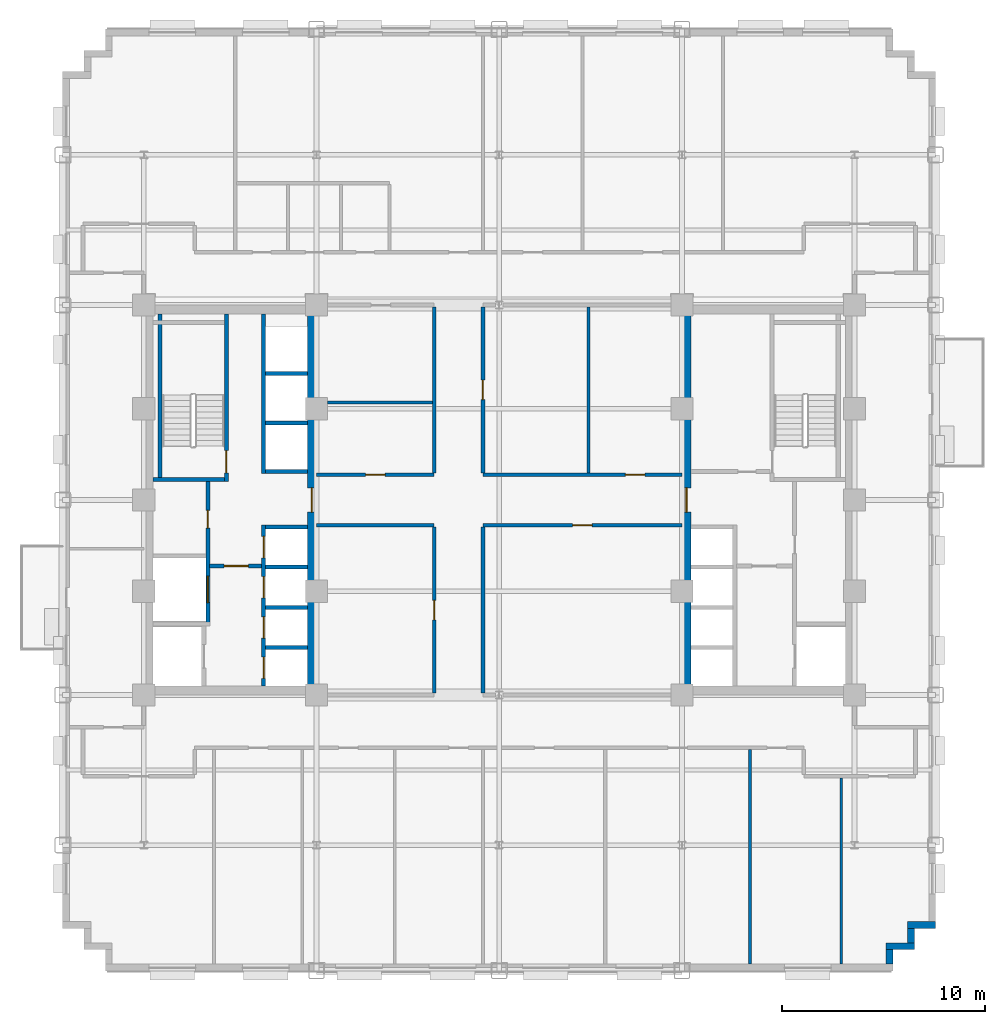
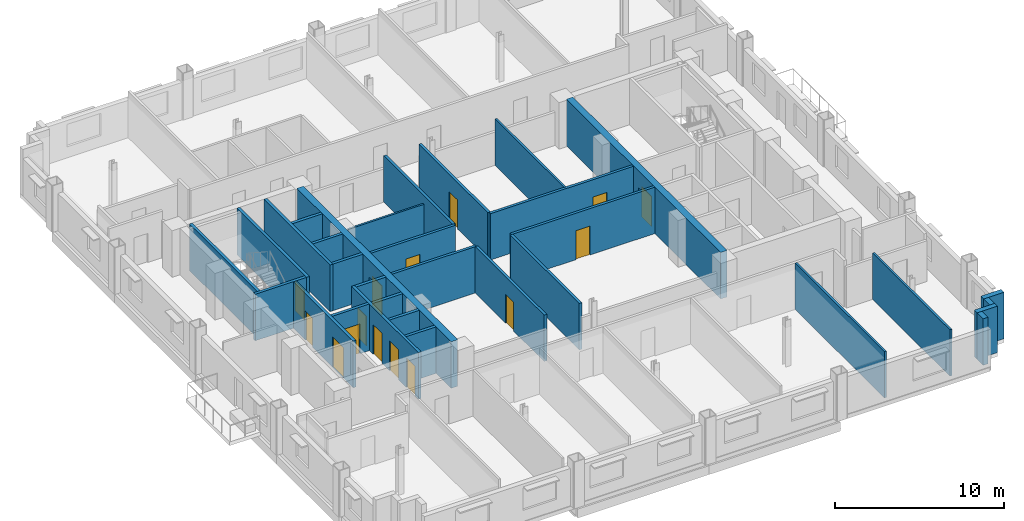
# One storey, part 7 of 14: 32 walls, 15 doors, 15 openings.
"""IFC4 building model written with IfcOpenShell, lengths in metres."""

from ifc_helpers import new_model, si_unit, direction, frame, frame_2d, origin, place, context, subcontext, project, spatial, rectangle, extrude, source, transform, mapped, material, layer, layer_set, type_object, type_shapes, element, fill, save


model = new_model("IFC4")

# Units and contexts
model_context = context("Model", 3, precision=1e-05, world=origin(), true_north=direction((0.0, 1.0)))
body_context = subcontext(model_context, "Body", "Model", "MODEL_VIEW")
ifc_project = project(units=[si_unit("LENGTHUNIT", "METRE"), si_unit("AREAUNIT", "SQUARE_METRE"), si_unit("VOLUMEUNIT", "CUBIC_METRE"), si_unit("PLANEANGLEUNIT", "RADIAN"), si_unit("MASSUNIT", "GRAM", prefix="KILO")], contexts=[model_context])

# Site, building, storey
site_placement = place(None, origin())
site = spatial("IfcSite", under=ifc_project, at=site_placement, CompositionType="ELEMENT")
building_placement = place(site_placement, origin())
building = spatial("IfcBuilding", under=site, at=building_placement, Name="Nuvemarco Arch Tower", CompositionType="ELEMENT")
storey_placement = place(building_placement, frame((0.0, 0.0, 71.39990234375)))
storey = spatial("IfcBuildingStorey", under=building, at=storey_placement, Name="L18", CompositionType="ELEMENT", Elevation=71.39990234375)

# Walls
ifc_material_1 = material(Name="Precast concrete C45/55", Category="concrete")
ifc_layer_1 = layer(ifc_material_1, 0.340087890625, Name="EW-LOW-340")
ifc_layer_set_1 = layer_set([ifc_layer_1], Name="Precast concrete C45/55")
wall_type_1 = type_object("IfcWallType", Name="EW-LOW-340", PredefinedType="STANDARD", material=ifc_layer_set_1)
wall_1_placement = place(storey_placement, frame((19.22998046875, -22.864013671875, 0.0), z_axis=(0.0, 0.0, 1.0), x_axis=(0.0, 1.0, 0.0)))
element("IfcWall", 1, at=wall_1_placement, inside=storey, type_object=wall_type_1, Name="L18 exterior precast facade wall 2", PredefinedType="STANDARD", context=body_context, shape_type="SweptSolid", body=[
    extrude(rectangle(XDim=0.718017578125, YDim=0.340087890625, at=frame_2d((0.35888671875, 0.0))), origin(), (0.0, 0.0, 1.0), 3.360107421875),
])
wall_2_placement = place(storey_placement, frame((19.06005859375, -21.97998046875, 0.0), z_axis=(0.0, 0.0, 1.0), x_axis=(1.0, 0.0, 0.0)))
element("IfcWall", 2, at=wall_2_placement, inside=storey, type_object=wall_type_1, Name="L18 exterior precast facade wall 3", PredefinedType="STANDARD", context=body_context, shape_type="SweptSolid", body=[
    extrude(rectangle(XDim=1.389892578125, YDim=0.340087890625, at=frame_2d((0.69482421875, 0.0))), origin(), (0.0, 0.0, 1.0), 3.360107421875),
])
wall_3_placement = place(storey_placement, frame((20.280029296875, -21.81396484375, 0.0), z_axis=(0.0, 0.0, 1.0), x_axis=(0.0, 1.0, 0.0)))
element("IfcWall", 3, at=wall_3_placement, inside=storey, type_object=wall_type_1, Name="L18 exterior precast facade wall 4", PredefinedType="STANDARD", context=body_context, shape_type="SweptSolid", body=[
    extrude(rectangle(XDim=0.718017578125, YDim=0.340087890625, at=frame_2d((0.35888671875, 0.0))), origin(), (0.0, 0.0, 1.0), 3.360107421875),
])
wall_4_placement = place(storey_placement, frame((20.110107421875, -20.929931640625, 0.0), z_axis=(0.0, 0.0, 1.0), x_axis=(1.0, 0.0, 0.0)))
element("IfcWall", 4, at=wall_4_placement, inside=storey, type_object=wall_type_1, Name="L18 exterior precast facade wall 5", PredefinedType="STANDARD", context=body_context, shape_type="SweptSolid", body=[
    extrude(rectangle(XDim=1.389892578125, YDim=0.340087890625, at=frame_2d((0.69482421875, 0.0))), origin(), (0.0, 0.0, 1.0), 3.360107421875),
])

# Wall, opening, door
ifc_material_2 = material(Name="Concrete C60/75", Category="concrete")
ifc_layer_2 = layer(ifc_material_2, 0.449951171875, Name="WL-CORE-450")
ifc_layer_set_2 = layer_set([ifc_layer_2], Name="Concrete C60/75")
wall_type_2 = type_object("IfcWallType", Name="WL-CORE-450", PredefinedType="SHEAR", material=ifc_layer_set_2)
wall_5_placement = place(storey_placement, frame((-9.22509765625, -9.155029296875, 0.0), z_axis=(0.0, 0.0, 1.0), x_axis=(0.0, 1.0, 0.0)))
wall_5 = element("IfcWall", 5, at=wall_5_placement, inside=storey, type_object=wall_type_2, Name="L18 W-core shear wall E", PredefinedType="SHEAR", context=body_context, shape_type="SweptSolid", body=[
    extrude(rectangle(XDim=18.31005859375, YDim=0.449951171875, at=frame_2d((9.155029296875, 0.0))), origin(), (0.0, 0.0, 1.0), 3.3701171875),
])
opening_1_placement = place(wall_5_placement, frame((8.554931640625, 0.0, 0.0)))
opening_1 = element("IfcOpeningElement", 6, at=opening_1_placement, cuts=wall_5, Name="Opening FD-2", PredefinedType="OPENING", context=body_context, shape_type="SweptSolid", body=[
    extrude(rectangle(XDim=1.199951171875, YDim=2.14990234375, at=frame_2d((0.60009765625, 1.074951171875))), frame((0.0, 0.23486328125, 0.0), z_axis=(0.0, -1.0, 0.0), x_axis=(1.0, 0.0, 0.0)), (0.0, 0.0, 1.0), 0.469970703125),
])
ifc_material_3 = material(Name="Anodised steel fire door", Category="steel")
door_type_1 = type_object("IfcDoorType", Name="DR-FFLOB-FD", OperationType="NOTDEFINED", PredefinedType="DOOR", material=ifc_material_3)
shared_shape_1 = source(origin(), body_context, "Body", "SweptSolid", [
    extrude(rectangle(XDim=1.199951171875, YDim=2.14990234375, at=frame_2d((0.60009765625, 1.074951171875))), frame((0.0, 0.02490234375, 0.0), z_axis=(0.0, -1.0, 0.0), x_axis=(1.0, 0.0, 0.0)), (0.0, 0.0, 1.0), 0.050048828125),
])
type_shapes(door_type_1, [shared_shape_1])
door_1_placement = place(opening_1_placement, origin())
door_1 = element("IfcDoor", 7, at=door_1_placement, inside=storey, type_object=door_type_1, Name="L18 door FD-L18-WCORE-E", OperationType="SINGLE_SWING_RIGHT", OverallHeight=2.14990234375, OverallWidth=1.199951171875, PredefinedType="DOOR", context=body_context, shape_type="MappedRepresentation", body=[
    mapped(shared_shape_1, transform((0.0, 0.0, 0.0), scale=1.0)),
])
fill(opening_1, door_1)

wall_6_placement = place(storey_placement, frame((9.22509765625, -9.155029296875, 0.0), z_axis=(0.0, 0.0, 1.0), x_axis=(0.0, 1.0, 0.0)))
wall_6 = element("IfcWall", 8, at=wall_6_placement, inside=storey, type_object=wall_type_2, Name="L18 E-core shear wall W", PredefinedType="SHEAR", context=body_context, shape_type="SweptSolid", body=[
    extrude(rectangle(XDim=18.31005859375, YDim=0.449951171875, at=frame_2d((9.155029296875, 0.0))), origin(), (0.0, 0.0, 1.0), 3.3701171875),
])
opening_2_placement = place(wall_6_placement, frame((8.554931640625, 0.0, 0.0)))
opening_2 = element("IfcOpeningElement", 9, at=opening_2_placement, cuts=wall_6, Name="Opening FD-2", PredefinedType="OPENING", context=body_context, shape_type="SweptSolid", body=[
    extrude(rectangle(XDim=1.199951171875, YDim=2.14990234375, at=frame_2d((0.60009765625, 1.074951171875))), frame((0.0, 0.23486328125, 0.0), z_axis=(0.0, -1.0, 0.0), x_axis=(1.0, 0.0, 0.0)), (0.0, 0.0, 1.0), 0.469970703125),
])
door_2_placement = place(opening_2_placement, origin())
door_2 = element("IfcDoor", 10, at=door_2_placement, inside=storey, type_object=door_type_1, Name="L18 door FD-L18-ECORE-W", OperationType="SINGLE_SWING_LEFT", OverallHeight=2.14990234375, OverallWidth=1.199951171875, PredefinedType="DOOR", context=body_context, shape_type="MappedRepresentation", body=[
    mapped(shared_shape_1, transform((0.0, 0.0, 0.0), scale=1.0)),
])
fill(opening_2, door_2)

# Wall
ifc_material_4 = material(Name="Fire-rated gypsum drywall partition")
ifc_layer_3 = layer(ifc_material_4, 0.179931640625, Name="WL-CORR-180")
ifc_layer_set_3 = layer_set([ifc_layer_3], Name="Fire-rated gypsum drywall partition")
wall_type_3 = type_object("IfcWallType", Name="WL-CORR-180", PredefinedType="PARTITIONING", material=ifc_layer_set_3)
wall_7_placement = place(storey_placement, frame((-9.0, -1.25, 0.0), z_axis=(0.0, 0.0, 1.0), x_axis=(1.0, 0.0, 0.0)))
element("IfcWall", 11, at=wall_7_placement, inside=storey, type_object=wall_type_3, Name="L18 interior wall IW-L18-010", PredefinedType="PARTITIONING", context=body_context, shape_type="SweptSolid", body=[
    extrude(rectangle(XDim=5.800048828125, YDim=0.179931640625, at=frame_2d((2.89990234375, 0.0))), origin(), (0.0, 0.0, 1.0), 3.360107421875),
])

# Wall, opening, door
wall_8_placement = place(storey_placement, frame((-0.800048828125, -1.25, 0.0), z_axis=(0.0, 0.0, 1.0), x_axis=(1.0, 0.0, 0.0)))
wall_8 = element("IfcWall", 12, at=wall_8_placement, inside=storey, type_object=wall_type_3, Name="L18 interior wall IW-L18-011", PredefinedType="PARTITIONING", context=body_context, shape_type="SweptSolid", body=[
    extrude(rectangle(XDim=9.800048828125, YDim=0.179931640625, at=frame_2d((4.89990234375, 0.0))), origin(), (0.0, 0.0, 1.0), 3.360107421875),
])
opening_3_placement = place(wall_8_placement, frame((4.419921875, 0.0, 0.0)))
opening_3 = element("IfcOpeningElement", 13, at=opening_3_placement, cuts=wall_8, Name="Opening FD-5", PredefinedType="OPENING", context=body_context, shape_type="SweptSolid", body=[
    extrude(rectangle(XDim=0.9599609375, YDim=2.10009765625, at=frame_2d((0.47998046875, 1.050048828125))), frame((0.0, 0.099853515625, 0.0), z_axis=(0.0, -1.0, 0.0), x_axis=(1.0, 0.0, 0.0)), (0.0, 0.0, 1.0), 0.199951171875),
])
ifc_material_5 = material(Name="Timber fire door", Category="wood")
door_type_2 = type_object("IfcDoorType", Name="DR-CORR-FD", OperationType="NOTDEFINED", PredefinedType="DOOR", material=ifc_material_5)
shared_shape_2 = source(origin(), body_context, "Body", "SweptSolid", [
    extrude(rectangle(XDim=0.9599609375, YDim=2.10009765625, at=frame_2d((0.47998046875, 1.050048828125))), frame((0.0, 0.02490234375, 0.0), z_axis=(0.0, -1.0, 0.0), x_axis=(1.0, 0.0, 0.0)), (0.0, 0.0, 1.0), 0.050048828125),
])
type_shapes(door_type_2, [shared_shape_2])
door_3_placement = place(opening_3_placement, origin())
door_3 = element("IfcDoor", 14, at=door_3_placement, inside=storey, type_object=door_type_2, Name="L18 door DR-L18-C_SE", OperationType="SINGLE_SWING_LEFT", OverallHeight=2.10009765625, OverallWidth=0.9599609375, PredefinedType="DOOR", context=body_context, shape_type="MappedRepresentation", body=[
    mapped(shared_shape_2, transform((0.0, 0.0, 0.0), scale=1.0)),
])
fill(opening_3, door_3)

wall_9_placement = place(storey_placement, frame((-9.0, 1.25, 0.0), z_axis=(0.0, 0.0, 1.0), x_axis=(1.0, 0.0, 0.0)))
wall_9 = element("IfcWall", 15, at=wall_9_placement, inside=storey, type_object=wall_type_3, Name="L18 interior wall IW-L18-012", PredefinedType="PARTITIONING", context=body_context, shape_type="SweptSolid", body=[
    extrude(rectangle(XDim=5.800048828125, YDim=0.179931640625, at=frame_2d((2.89990234375, 0.0))), origin(), (0.0, 0.0, 1.0), 3.360107421875),
])
opening_4_placement = place(wall_9_placement, frame((2.419921875, 0.0, 0.0)))
opening_4 = element("IfcOpeningElement", 16, at=opening_4_placement, cuts=wall_9, Name="Opening FD-5", PredefinedType="OPENING", context=body_context, shape_type="SweptSolid", body=[
    extrude(rectangle(XDim=0.9599609375, YDim=2.10009765625, at=frame_2d((0.47998046875, 1.050048828125))), frame((0.0, 0.099853515625, 0.0), z_axis=(0.0, -1.0, 0.0), x_axis=(1.0, 0.0, 0.0)), (0.0, 0.0, 1.0), 0.199951171875),
])
door_4_placement = place(opening_4_placement, origin())
door_4 = element("IfcDoor", 17, at=door_4_placement, inside=storey, type_object=door_type_2, Name="L18 door DR-L18-C_NW1", OperationType="SINGLE_SWING_LEFT", OverallHeight=2.10009765625, OverallWidth=0.9599609375, PredefinedType="DOOR", context=body_context, shape_type="MappedRepresentation", body=[
    mapped(shared_shape_2, transform((0.0, 0.0, 0.0), scale=1.0)),
])
fill(opening_4, door_4)

wall_10_placement = place(storey_placement, frame((-0.800048828125, 1.25, 0.0), z_axis=(0.0, 0.0, 1.0), x_axis=(1.0, 0.0, 0.0)))
wall_10 = element("IfcWall", 18, at=wall_10_placement, inside=storey, type_object=wall_type_3, Name="L18 interior wall IW-L18-013", PredefinedType="PARTITIONING", context=body_context, shape_type="SweptSolid", body=[
    extrude(rectangle(XDim=9.800048828125, YDim=0.179931640625, at=frame_2d((4.89990234375, 0.0))), origin(), (0.0, 0.0, 1.0), 3.360107421875),
])
opening_5_placement = place(wall_10_placement, frame((7.02001953125, 0.0, 0.0)))
opening_5 = element("IfcOpeningElement", 19, at=opening_5_placement, cuts=wall_10, Name="Opening FD-5", PredefinedType="OPENING", context=body_context, shape_type="SweptSolid", body=[
    extrude(rectangle(XDim=0.9599609375, YDim=2.10009765625, at=frame_2d((0.47998046875, 1.050048828125))), frame((0.0, 0.099853515625, 0.0), z_axis=(0.0, -1.0, 0.0), x_axis=(1.0, 0.0, 0.0)), (0.0, 0.0, 1.0), 0.199951171875),
])
door_5_placement = place(opening_5_placement, origin())
door_5 = element("IfcDoor", 20, at=door_5_placement, inside=storey, type_object=door_type_2, Name="L18 door DR-L18-C_NE2", OperationType="SINGLE_SWING_LEFT", OverallHeight=2.10009765625, OverallWidth=0.9599609375, PredefinedType="DOOR", context=body_context, shape_type="MappedRepresentation", body=[
    mapped(shared_shape_2, transform((0.0, 0.0, 0.0), scale=1.0)),
])
fill(opening_5, door_5)

wall_11_placement = place(storey_placement, frame((-3.199951171875, -9.513916015625, 0.0), z_axis=(0.0, 0.0, 1.0), x_axis=(0.0, 1.0, 0.0)))
wall_11 = element("IfcWall", 21, at=wall_11_placement, inside=storey, type_object=wall_type_3, Name="L18 interior wall IW-L18-037", PredefinedType="PARTITIONING", context=body_context, shape_type="SweptSolid", body=[
    extrude(rectangle(XDim=8.177978515625, YDim=0.179931640625, at=frame_2d((4.0888671875, 0.0))), origin(), (0.0, 0.0, 1.0), 3.360107421875),
])
opening_6_placement = place(wall_11_placement, frame((3.60888671875, 0.0, 0.0)))
opening_6 = element("IfcOpeningElement", 22, at=opening_6_placement, cuts=wall_11, Name="Opening FD-5", PredefinedType="OPENING", context=body_context, shape_type="SweptSolid", body=[
    extrude(rectangle(XDim=0.9599609375, YDim=2.10009765625, at=frame_2d((0.47998046875, 1.050048828125))), frame((0.0, 0.099853515625, 0.0), z_axis=(0.0, -1.0, 0.0), x_axis=(1.0, 0.0, 0.0)), (0.0, 0.0, 1.0), 0.199951171875),
])
door_6_placement = place(opening_6_placement, origin())
door_6 = element("IfcDoor", 23, at=door_6_placement, inside=storey, type_object=door_type_2, Name="L18 door DR-L18-C_SW", OperationType="SINGLE_SWING_RIGHT", OverallHeight=2.10009765625, OverallWidth=0.9599609375, PredefinedType="DOOR", context=body_context, shape_type="MappedRepresentation", body=[
    mapped(shared_shape_2, transform((0.0, 0.0, 0.0), scale=1.0)),
])
fill(opening_6, door_6)

# Walls
for number, where, z_axis, x_axis, name in (
    (24, (-3.199951171875, 1.3359375, 0.0), (0.0, 0.0, 1.0), (0.0, 1.0, 0.0), "L18 interior wall IW-L18-038"),
    (25, (-0.800048828125, -9.513916015625, 0.0), (0.0, 0.0, 1.0), (0.0, 1.0, 0.0), "L18 interior wall IW-L18-040"),
):
    element("IfcWall", number, at=place(storey_placement, frame(where, z_axis=z_axis, x_axis=x_axis)), inside=storey, type_object=wall_type_3, Name=name, PredefinedType="PARTITIONING", context=body_context, shape_type="SweptSolid", body=[
        extrude(rectangle(XDim=8.177978515625, YDim=0.179931640625, at=frame_2d((4.0888671875, 0.0))), origin(), (0.0, 0.0, 1.0), 3.360107421875),
    ])

# Wall, opening, door
wall_12_placement = place(storey_placement, frame((-0.800048828125, 1.3359375, 0.0), z_axis=(0.0, 0.0, 1.0), x_axis=(0.0, 1.0, 0.0)))
wall_12 = element("IfcWall", 26, at=wall_12_placement, inside=storey, type_object=wall_type_3, Name="L18 interior wall IW-L18-041", PredefinedType="PARTITIONING", context=body_context, shape_type="SweptSolid", body=[
    extrude(rectangle(XDim=8.177978515625, YDim=0.179931640625, at=frame_2d((4.0888671875, 0.0))), origin(), (0.0, 0.0, 1.0), 3.360107421875),
])
opening_7_placement = place(wall_12_placement, frame((3.60888671875, 0.0, 0.0)))
opening_7 = element("IfcOpeningElement", 27, at=opening_7_placement, cuts=wall_12, Name="Opening FD-5", PredefinedType="OPENING", context=body_context, shape_type="SweptSolid", body=[
    extrude(rectangle(XDim=0.9599609375, YDim=2.10009765625, at=frame_2d((0.47998046875, 1.050048828125))), frame((0.0, 0.099853515625, 0.0), z_axis=(0.0, -1.0, 0.0), x_axis=(1.0, 0.0, 0.0)), (0.0, 0.0, 1.0), 0.199951171875),
])
door_7_placement = place(opening_7_placement, origin())
door_7 = element("IfcDoor", 28, at=door_7_placement, inside=storey, type_object=door_type_2, Name="L18 door DR-L18-C_NE1", OperationType="SINGLE_SWING_LEFT", OverallHeight=2.10009765625, OverallWidth=0.9599609375, PredefinedType="DOOR", context=body_context, shape_type="MappedRepresentation", body=[
    mapped(shared_shape_2, transform((0.0, 0.0, 0.0), scale=1.0)),
])
fill(opening_7, door_7)

# Walls
ifc_material_6 = material(Name="Glazed acoustic office partition")
ifc_layer_4 = layer(ifc_material_6, 0.1298828125, Name="WL-EXEC-130")
ifc_layer_set_4 = layer_set([ifc_layer_4], Name="Glazed acoustic office partition")
wall_type_4 = type_object("IfcWallType", Name="WL-EXEC-130", PredefinedType="PARTITIONING", material=ifc_layer_set_4)
wall_13_placement = place(storey_placement, frame((-8.4541015625, 4.800048828125, 0.0), z_axis=(0.0, 0.0, 1.0), x_axis=(1.0, 0.0, 0.0)))
element("IfcWall", 29, at=wall_13_placement, inside=storey, type_object=wall_type_4, Name="L18 interior wall IW-L18-014", PredefinedType="PARTITIONING", context=body_context, shape_type="SweptSolid", body=[
    extrude(rectangle(XDim=5.168212890625, YDim=0.1298828125, at=frame_2d((2.583984375, 0.0))), origin(), (0.0, 0.0, 1.0), 2.738037109375),
])
ifc_material_7 = material(Name="Gypsum plasterboard partition")
ifc_layer_5 = layer(ifc_material_7, 0.139892578125, Name="WL-ROOM-140")
ifc_layer_set_5 = layer_set([ifc_layer_5], Name="Gypsum plasterboard partition")
wall_type_5 = type_object("IfcWallType", Name="WL-ROOM-140", PredefinedType="PARTITIONING", material=ifc_layer_set_5)
wall_14_placement = place(storey_placement, frame((4.39990234375, 1.3359375, 0.0), z_axis=(0.0, 0.0, 1.0), x_axis=(0.0, 1.0, 0.0)))
element("IfcWall", 30, at=wall_14_placement, inside=storey, type_object=wall_type_5, Name="L18 interior wall IW-L18-044", PredefinedType="PARTITIONING", context=body_context, shape_type="SweptSolid", body=[
    extrude(rectangle(XDim=8.177978515625, YDim=0.139892578125, at=frame_2d((4.0888671875, 0.0))), origin(), (0.0, 0.0, 1.0), 3.360107421875),
])
wall_15_placement = place(storey_placement, frame((12.360107421875, -22.860107421875, 0.0), z_axis=(0.0, 0.0, 1.0), x_axis=(0.0, 1.0, 0.0)))
element("IfcWall", 31, at=wall_15_placement, inside=storey, type_object=wall_type_5, Name="L18 interior wall IW-L18-047", PredefinedType="PARTITIONING", context=body_context, shape_type="SweptSolid", body=[
    extrude(rectangle(XDim=10.57421875, YDim=0.139892578125, at=frame_2d((5.287109375, 0.0))), origin(), (0.0, 0.0, 1.0), 3.360107421875),
])
wall_16_placement = place(storey_placement, frame((16.85009765625, -22.860107421875, 0.0), z_axis=(0.0, 0.0, 1.0), x_axis=(0.0, 1.0, 0.0)))
element("IfcWall", 32, at=wall_16_placement, inside=storey, type_object=wall_type_5, Name="L18 interior wall IW-L18-050", PredefinedType="PARTITIONING", context=body_context, shape_type="SweptSolid", body=[
    extrude(rectangle(XDim=9.174072265625, YDim=0.139892578125, at=frame_2d((4.5869140625, 0.0))), origin(), (0.0, 0.0, 1.0), 3.360107421875),
])

# Wall, opening, door
ifc_material_8 = material(Name="Concrete C50/60", Category="concrete")
ifc_layer_6 = layer(ifc_material_8, 0.199951171875, Name="WL-SHAFT-220")
ifc_layer_set_6 = layer_set([ifc_layer_6], Name="Concrete C50/60")
wall_type_6 = type_object("IfcWallType", Name="WL-SHAFT-220", PredefinedType="SHEAR", material=ifc_layer_set_6)
wall_17_placement = place(storey_placement, frame((-13.43994140625, 0.89990234375, 0.0), z_axis=(0.0, 0.0, 1.0), x_axis=(0.0, 1.0, 0.0)))
wall_17 = element("IfcWall", 33, at=wall_17_placement, inside=storey, type_object=wall_type_6, Name="L18 structural shaft wall SW-L18-W-ST1E", PredefinedType="SHEAR", context=body_context, shape_type="SweptSolid", body=[
    extrude(rectangle(XDim=8.255126953125, YDim=0.199951171875, at=frame_2d((4.12744140625, 0.0))), origin(), (0.0, 0.0, 1.0), 3.3701171875),
])
opening_8_placement = place(wall_17_placement, frame((1.530029296875, 0.0, 0.0), z_axis=(0.0, 0.0, 1.0), x_axis=(-1.0, 0.0, 0.0)))
opening_8 = element("IfcOpeningElement", 34, at=opening_8_placement, cuts=wall_17, Name="Opening FD-1", PredefinedType="OPENING", context=body_context, shape_type="SweptSolid", body=[
    extrude(rectangle(XDim=1.10009765625, YDim=2.14990234375, at=frame_2d((0.550048828125, 1.074951171875))), frame((0.0, 0.10986328125, 0.0), z_axis=(0.0, -1.0, 0.0), x_axis=(1.0, 0.0, 0.0)), (0.0, 0.0, 1.0), 0.219970703125),
])
door_type_3 = type_object("IfcDoorType", Name="DR-STAIR-FD", OperationType="NOTDEFINED", PredefinedType="DOOR", material=ifc_material_3)
shared_shape_3 = source(origin(), body_context, "Body", "SweptSolid", [
    extrude(rectangle(XDim=1.10009765625, YDim=2.14990234375, at=frame_2d((0.550048828125, 1.074951171875))), frame((0.0, 0.02490234375, 0.0), z_axis=(0.0, -1.0, 0.0), x_axis=(1.0, 0.0, 0.0)), (0.0, 0.0, 1.0), 0.050048828125),
])
type_shapes(door_type_3, [shared_shape_3])
door_8_placement = place(opening_8_placement, origin())
door_8 = element("IfcDoor", 35, at=door_8_placement, inside=storey, type_object=door_type_3, Name="L18 door FD-L18-ST1", OperationType="SINGLE_SWING_RIGHT", OverallHeight=2.14990234375, OverallWidth=1.10009765625, PredefinedType="DOOR", context=body_context, shape_type="MappedRepresentation", body=[
    mapped(shared_shape_3, transform((0.0, 0.0, 0.0), scale=1.0)),
])
fill(opening_8, door_8)

# Walls
wall_18_placement = place(storey_placement, frame((-17.054931640625, 1.0, 0.0), z_axis=(0.0, 0.0, 1.0), x_axis=(1.0, 0.0, 0.0)))
element("IfcWall", 36, at=wall_18_placement, inside=storey, type_object=wall_type_6, Name="L18 structural shaft wall SW-L18-W-ST1S", PredefinedType="SHEAR", context=body_context, shape_type="SweptSolid", body=[
    extrude(rectangle(XDim=3.52001953125, YDim=0.199951171875, at=frame_2d((1.760009765625, 0.0))), origin(), (0.0, 0.0, 1.0), 3.3701171875),
])
wall_19_placement = place(storey_placement, frame((-16.699951171875, 1.094970703125, 0.0), z_axis=(0.0, 0.0, 1.0), x_axis=(0.0, 1.0, 0.0)))
element("IfcWall", 37, at=wall_19_placement, inside=storey, type_object=wall_type_6, Name="L18 structural shaft wall SW-L18-W-ST1W", PredefinedType="SHEAR", context=body_context, shape_type="SweptSolid", body=[
    extrude(rectangle(XDim=8.06005859375, YDim=0.199951171875, at=frame_2d((4.030029296875, 0.0))), origin(), (0.0, 0.0, 1.0), 3.3701171875),
])

# Wall, openings, doors
wall_20_placement = place(storey_placement, frame((-14.35009765625, -6.199951171875, 0.0), z_axis=(0.0, 0.0, 1.0), x_axis=(0.0, 1.0, 0.0)))
wall_20 = element("IfcWall", 38, at=wall_20_placement, inside=storey, type_object=wall_type_6, Name="L18 structural shaft wall SW-L18-W-SVE", PredefinedType="SHEAR", context=body_context, shape_type="SweptSolid", body=[
    extrude(rectangle(XDim=7.10498046875, YDim=0.199951171875, at=frame_2d((3.552490234375, 0.0))), origin(), (0.0, 0.0, 1.0), 3.3701171875),
])
opening_9_placement = place(wall_20_placement, frame((5.68994140625, 0.0, 0.0), z_axis=(0.0, 0.0, 1.0), x_axis=(-1.0, 0.0, 0.0)))
opening_9 = element("IfcOpeningElement", 39, at=opening_9_placement, cuts=wall_20, Name="Opening FD-4", PredefinedType="OPENING", context=body_context, shape_type="SweptSolid", body=[
    extrude(rectangle(XDim=0.8798828125, YDim=2.10009765625, at=frame_2d((0.43994140625, 1.050048828125))), frame((0.0, 0.10986328125, 0.0), z_axis=(0.0, -1.0, 0.0), x_axis=(1.0, 0.0, 0.0)), (0.0, 0.0, 1.0), 0.219970703125),
])
opening_10_placement = place(wall_20_placement, frame((1.14990234375, 0.0, 0.0)))
opening_10 = element("IfcOpeningElement", 40, at=opening_10_placement, cuts=wall_20, Name="Opening LD-3", PredefinedType="OPENING", context=body_context, shape_type="SweptSolid", body=[
    extrude(rectangle(XDim=1.300048828125, YDim=2.199951171875, at=frame_2d((0.64990234375, 1.10009765625))), frame((0.0, 0.10986328125, 0.0), z_axis=(0.0, -1.0, 0.0), x_axis=(1.0, 0.0, 0.0)), (0.0, 0.0, 1.0), 0.219970703125),
])
door_type_4 = type_object("IfcDoorType", Name="DR-RISER-FD", OperationType="NOTDEFINED", PredefinedType="DOOR", material=ifc_material_3)
shared_shape_4 = source(origin(), body_context, "Body", "SweptSolid", [
    extrude(rectangle(XDim=0.8798828125, YDim=2.10009765625, at=frame_2d((0.43994140625, 1.050048828125))), frame((0.0, 0.02490234375, 0.0), z_axis=(0.0, -1.0, 0.0), x_axis=(1.0, 0.0, 0.0)), (0.0, 0.0, 1.0), 0.050048828125),
])
type_shapes(door_type_4, [shared_shape_4])
door_9_placement = place(opening_9_placement, origin())
door_9 = element("IfcDoor", 41, at=door_9_placement, inside=storey, type_object=door_type_4, Name="L18 door FD-L18-WRIS", OperationType="SINGLE_SWING_RIGHT", OverallHeight=2.10009765625, OverallWidth=0.8798828125, PredefinedType="DOOR", context=body_context, shape_type="MappedRepresentation", body=[
    mapped(shared_shape_4, transform((0.0, 0.0, 0.0), scale=1.0)),
])
fill(opening_9, door_9)
ifc_material_9 = material(Name="Stainless steel lift door", Category="steel")
door_type_5 = type_object("IfcDoorType", Name="DR-LIFT-SERV", OperationType="DOUBLE_DOOR_SLIDING", PredefinedType="DOOR", material=ifc_material_9)
shared_shape_5 = source(origin(), body_context, "Body", "SweptSolid", [
    extrude(rectangle(XDim=1.300048828125, YDim=2.199951171875, at=frame_2d((0.64990234375, 1.10009765625))), frame((0.0, 0.02490234375, 0.0), z_axis=(0.0, -1.0, 0.0), x_axis=(1.0, 0.0, 0.0)), (0.0, 0.0, 1.0), 0.050048828125),
])
type_shapes(door_type_5, [shared_shape_5])
door_10_placement = place(opening_10_placement, origin())
door_10 = element("IfcDoor", 42, at=door_10_placement, inside=storey, type_object=door_type_5, Name="L18 Lift landing sliding door SVL-1", OperationType="DOUBLE_DOOR_SLIDING", OverallHeight=2.199951171875, OverallWidth=1.300048828125, PredefinedType="DOOR", context=body_context, shape_type="MappedRepresentation", body=[
    mapped(shared_shape_5, transform((0.0, 0.0, 0.0), scale=1.0)),
])
fill(opening_10, door_10)

wall_21_placement = place(storey_placement, frame((-11.60009765625, -9.155029296875, 0.0), z_axis=(0.0, 0.0, 1.0), x_axis=(0.0, 1.0, 0.0)))
wall_21 = element("IfcWall", 43, at=wall_21_placement, inside=storey, type_object=wall_type_6, Name="L18 structural shaft wall SW-L18-W-PLW", PredefinedType="SHEAR", context=body_context, shape_type="SweptSolid", body=[
    extrude(rectangle(XDim=7.925048828125, YDim=0.199951171875, at=frame_2d((3.96240234375, 0.0))), origin(), (0.0, 0.0, 1.0), 3.3701171875),
])
opening_11_placement = place(wall_21_placement, frame((0.3701171875, 0.0, 0.0)))
opening_11 = element("IfcOpeningElement", 44, at=opening_11_placement, cuts=wall_21, Name="Opening LD-1", PredefinedType="OPENING", context=body_context, shape_type="SweptSolid", body=[
    extrude(rectangle(XDim=1.050048828125, YDim=2.14990234375, at=frame_2d((0.52490234375, 1.074951171875))), frame((0.0, 0.10986328125, 0.0), z_axis=(0.0, -1.0, 0.0), x_axis=(1.0, 0.0, 0.0)), (0.0, 0.0, 1.0), 0.219970703125),
])
opening_12_placement = place(wall_21_placement, frame((2.35009765625, 0.0, 0.0)))
opening_12 = element("IfcOpeningElement", 45, at=opening_12_placement, cuts=wall_21, Name="Opening LD-1", PredefinedType="OPENING", context=body_context, shape_type="SweptSolid", body=[
    extrude(rectangle(XDim=1.050048828125, YDim=2.14990234375, at=frame_2d((0.52490234375, 1.074951171875))), frame((0.0, 0.10986328125, 0.0), z_axis=(0.0, -1.0, 0.0), x_axis=(1.0, 0.0, 0.0)), (0.0, 0.0, 1.0), 0.219970703125),
])
opening_13_placement = place(wall_21_placement, frame((4.330078125, 0.0, 0.0)))
opening_13 = element("IfcOpeningElement", 46, at=opening_13_placement, cuts=wall_21, Name="Opening LD-1", PredefinedType="OPENING", context=body_context, shape_type="SweptSolid", body=[
    extrude(rectangle(XDim=1.050048828125, YDim=2.14990234375, at=frame_2d((0.52490234375, 1.074951171875))), frame((0.0, 0.10986328125, 0.0), z_axis=(0.0, -1.0, 0.0), x_axis=(1.0, 0.0, 0.0)), (0.0, 0.0, 1.0), 0.219970703125),
])
opening_14_placement = place(wall_21_placement, frame((6.31005859375, 0.0, 0.0)))
opening_14 = element("IfcOpeningElement", 47, at=opening_14_placement, cuts=wall_21, Name="Opening LD-1", PredefinedType="OPENING", context=body_context, shape_type="SweptSolid", body=[
    extrude(rectangle(XDim=1.050048828125, YDim=2.14990234375, at=frame_2d((0.52490234375, 1.074951171875))), frame((0.0, 0.10986328125, 0.0), z_axis=(0.0, -1.0, 0.0), x_axis=(1.0, 0.0, 0.0)), (0.0, 0.0, 1.0), 0.219970703125),
])
door_type_6 = type_object("IfcDoorType", Name="DR-LIFT-PASS", OperationType="DOUBLE_DOOR_SLIDING", PredefinedType="DOOR", material=ifc_material_9)
shared_shape_6 = source(origin(), body_context, "Body", "SweptSolid", [
    extrude(rectangle(XDim=1.050048828125, YDim=2.14990234375, at=frame_2d((0.52490234375, 1.074951171875))), frame((0.0, 0.02490234375, 0.0), z_axis=(0.0, -1.0, 0.0), x_axis=(1.0, 0.0, 0.0)), (0.0, 0.0, 1.0), 0.050048828125),
])
type_shapes(door_type_6, [shared_shape_6])
door_11_placement = place(opening_11_placement, origin())
door_11 = element("IfcDoor", 48, at=door_11_placement, inside=storey, type_object=door_type_6, Name="L18 Lift landing sliding door PL-1", OperationType="DOUBLE_DOOR_SLIDING", OverallHeight=2.14990234375, OverallWidth=1.050048828125, PredefinedType="DOOR", context=body_context, shape_type="MappedRepresentation", body=[
    mapped(shared_shape_6, transform((0.0, 0.0, 0.0), scale=1.0)),
])
fill(opening_11, door_11)
door_12_placement = place(opening_12_placement, origin())
door_12 = element("IfcDoor", 49, at=door_12_placement, inside=storey, type_object=door_type_6, Name="L18 Lift landing sliding door PL-2", OperationType="DOUBLE_DOOR_SLIDING", OverallHeight=2.14990234375, OverallWidth=1.050048828125, PredefinedType="DOOR", context=body_context, shape_type="MappedRepresentation", body=[
    mapped(shared_shape_6, transform((0.0, 0.0, 0.0), scale=1.0)),
])
fill(opening_12, door_12)
door_13_placement = place(opening_13_placement, origin())
door_13 = element("IfcDoor", 50, at=door_13_placement, inside=storey, type_object=door_type_6, Name="L18 Lift landing sliding door PL-3", OperationType="DOUBLE_DOOR_SLIDING", OverallHeight=2.14990234375, OverallWidth=1.050048828125, PredefinedType="DOOR", context=body_context, shape_type="MappedRepresentation", body=[
    mapped(shared_shape_6, transform((0.0, 0.0, 0.0), scale=1.0)),
])
fill(opening_13, door_13)
door_14_placement = place(opening_14_placement, origin())
door_14 = element("IfcDoor", 51, at=door_14_placement, inside=storey, type_object=door_type_6, Name="L18 Lift landing sliding door PL-4", OperationType="DOUBLE_DOOR_SLIDING", OverallHeight=2.14990234375, OverallWidth=1.050048828125, PredefinedType="DOOR", context=body_context, shape_type="MappedRepresentation", body=[
    mapped(shared_shape_6, transform((0.0, 0.0, 0.0), scale=1.0)),
])
fill(opening_14, door_14)

# Wall, opening, door
wall_22_placement = place(storey_placement, frame((-14.2548828125, -3.25, 0.0), z_axis=(0.0, 0.0, 1.0), x_axis=(1.0, 0.0, 0.0)))
wall_22 = element("IfcWall", 52, at=wall_22_placement, inside=storey, type_object=wall_type_6, Name="L18 structural shaft wall SW-L18-W-FFN", PredefinedType="SHEAR", context=body_context, shape_type="SweptSolid", body=[
    extrude(rectangle(XDim=2.559814453125, YDim=0.199951171875, at=frame_2d((1.27978515625, 0.0))), origin(), (0.0, 0.0, 1.0), 3.3701171875),
])
opening_15_placement = place(wall_22_placement, frame((0.705078125, 0.0, 0.0)))
opening_15 = element("IfcOpeningElement", 53, at=opening_15_placement, cuts=wall_22, Name="Opening FD-2", PredefinedType="OPENING", context=body_context, shape_type="SweptSolid", body=[
    extrude(rectangle(XDim=1.199951171875, YDim=2.14990234375, at=frame_2d((0.60009765625, 1.074951171875))), frame((0.0, 0.10986328125, 0.0), z_axis=(0.0, -1.0, 0.0), x_axis=(1.0, 0.0, 0.0)), (0.0, 0.0, 1.0), 0.219970703125),
])
door_15_placement = place(opening_15_placement, origin())
door_15 = element("IfcDoor", 54, at=door_15_placement, inside=storey, type_object=door_type_1, Name="L18 door FD-L18-WFF1", OperationType="SINGLE_SWING_RIGHT", OverallHeight=2.14990234375, OverallWidth=1.199951171875, PredefinedType="DOOR", context=body_context, shape_type="MappedRepresentation", body=[
    mapped(shared_shape_1, transform((0.0, 0.0, 0.0), scale=1.0)),
])
fill(opening_15, door_15)

# Walls
for number, where, z_axis, x_axis, name in (
    (55, (-11.5048828125, -7.27001953125, 0.0), (0.0, 0.0, 1.0), (1.0, 0.0, 0.0), "L18 structural shaft wall SW-L18-W-PLD1"),
    (56, (-11.5048828125, -5.2900390625, 0.0), (0.0, 0.0, 1.0), (1.0, 0.0, 0.0), "L18 structural shaft wall SW-L18-W-PLD2"),
    (57, (-11.5048828125, -3.31005859375, 0.0), (0.0, 0.0, 1.0), (1.0, 0.0, 0.0), "L18 structural shaft wall SW-L18-W-PLD3"),
    (58, (-11.5048828125, -1.330078125, 0.0), (0.0, 0.0, 1.0), (1.0, 0.0, 0.0), "L18 structural shaft wall SW-L18-W-PLD4"),
):
    element("IfcWall", number, at=place(storey_placement, frame(where, z_axis=z_axis, x_axis=x_axis)), inside=storey, type_object=wall_type_6, Name=name, PredefinedType="SHEAR", context=body_context, shape_type="SweptSolid", body=[
        extrude(rectangle(XDim=2.059814453125, YDim=0.199951171875, at=frame_2d((1.02978515625, 0.0))), origin(), (0.0, 0.0, 1.0), 3.3701171875),
    ])
wall_23_placement = place(storey_placement, frame((-11.60009765625, 1.300048828125, 0.0), z_axis=(0.0, 0.0, 1.0), x_axis=(0.0, 1.0, 0.0)))
element("IfcWall", 59, at=wall_23_placement, inside=storey, type_object=wall_type_6, Name="L18 structural shaft wall SW-L18-W-PHW", PredefinedType="SHEAR", context=body_context, shape_type="SweptSolid", body=[
    extrude(rectangle(XDim=7.85498046875, YDim=0.199951171875, at=frame_2d((3.927490234375, 0.0))), origin(), (0.0, 0.0, 1.0), 3.3701171875),
])
for number, where, z_axis, x_axis, name in (
    (60, (-11.5048828125, 1.39990234375, 0.0), (0.0, 0.0, 1.0), (1.0, 0.0, 0.0), "L18 structural shaft wall SW-L18-W-PHD1"),
    (61, (-11.5048828125, 3.800048828125, 0.0), (0.0, 0.0, 1.0), (1.0, 0.0, 0.0), "L18 structural shaft wall SW-L18-W-PHD2"),
    (62, (-11.5048828125, 6.219970703125, 0.0), (0.0, 0.0, 1.0), (1.0, 0.0, 0.0), "L18 structural shaft wall SW-L18-W-PHD3"),
):
    element("IfcWall", number, at=place(storey_placement, frame(where, z_axis=z_axis, x_axis=x_axis)), inside=storey, type_object=wall_type_6, Name=name, PredefinedType="SHEAR", context=body_context, shape_type="SweptSolid", body=[
        extrude(rectangle(XDim=2.059814453125, YDim=0.199951171875, at=frame_2d((1.02978515625, 0.0))), origin(), (0.0, 0.0, 1.0), 3.3701171875),
    ])

save(model, "model.ifc")
